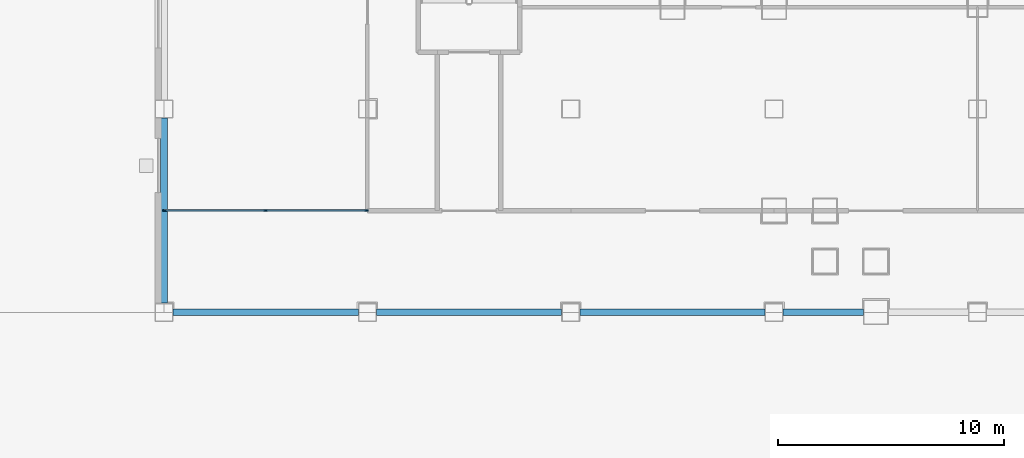
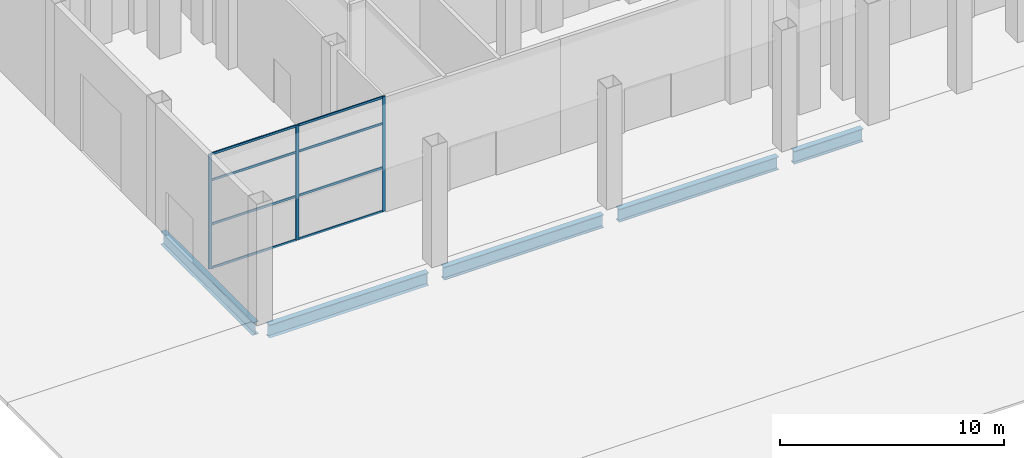
# One storey, part 4 of 38: 11 members, 5 beams, 1 element without a shape of its own.
"""IFC4 building model written with IfcOpenShell, lengths in metres."""

from ifc_helpers import new_model, si_unit, direction, frame, origin, origin_2d, place, context, subcontext, project, spatial, rectangle, i_section, extrude, material, layer, layer_set, material_profile, profile_set, type_object, element, aggregate, save


model = new_model("IFC4")

# Units and contexts
model_context = context("Model", 3, precision=1e-05, world=origin(), true_north=direction((0.0, 1.0)))
body_context = subcontext(model_context, "Body", "Model", "MODEL_VIEW")
ifc_project = project(units=[si_unit("LENGTHUNIT", "METRE"), si_unit("AREAUNIT", "SQUARE_METRE"), si_unit("VOLUMEUNIT", "CUBIC_METRE"), si_unit("PLANEANGLEUNIT", "RADIAN"), si_unit("MASSUNIT", "GRAM", prefix="KILO")], contexts=[model_context])

# Site, building, storey
site_placement = place(None, origin())
site = spatial("IfcSite", under=ifc_project, at=site_placement, CompositionType="ELEMENT")
building_placement = place(site_placement, origin())
building = spatial("IfcBuilding", under=site, at=building_placement, Name="Caravel Reach Hotel and Residences", CompositionType="ELEMENT")
storey_placement = place(building_placement, origin())
storey = spatial("IfcBuildingStorey", under=building, at=storey_placement, Name="L00", CompositionType="ELEMENT", Elevation=0.0)

# Curtain wall, members
ifc_material_1 = material(Name="Dark low-e glazing in black aluminium frame", Category="aluminium")
ifc_layer = layer(ifc_material_1, 0.199951171875)
ifc_layer_set = layer_set([ifc_layer], Name="CW5 Lobby glazed wall")
curtain_wall_type = type_object("IfcCurtainWallType", Name="CW5 Lobby glazed wall", PredefinedType="NOTDEFINED", material=ifc_layer_set)
curtain_wall_placement = place(storey_placement, origin())
curtain_wall = element("IfcCurtainWall", 1, at=curtain_wall_placement, inside=storey, type_object=curtain_wall_type, Name="Lobby glazed wall b0", PredefinedType="NOTDEFINED")
ifc_material_2 = material(Name="Anodised aluminium alloy 6063-T5, black", Category="aluminium")
ifc_material_profile_1 = material_profile(ifc_material_2, rectangle(XDim=0.06005859375, YDim=0.159912109375, at=origin_2d()), Name="CW mullion 60 x 160")
ifc_profile_set_1 = profile_set([ifc_material_profile_1], Name="Anodised aluminium alloy 6063-T5, black")
member_type_1 = type_object("IfcMemberType", Name="CW mullion 60 x 160", PredefinedType="MULLION", material=ifc_profile_set_1)
member_1_placement = place(storey_placement, frame((-4.469970703125, 4.5, 0.0), z_axis=(0.0, 0.0, 1.0), x_axis=(0.0, 1.0, 0.0)))
member_1 = element("IfcMember", 2, at=member_1_placement, type_object=member_type_1, Name="CW5 mullion 1", PredefinedType="MULLION", context=body_context, shape_type="SweptSolid", body=[
    extrude(rectangle(XDim=0.06005859375, YDim=0.159912109375, at=origin_2d()), origin(), (0.0, 0.0, 1.0), 6.25),
])
member_2_placement = place(storey_placement, frame((0.0, 4.5, 0.0), z_axis=(0.0, 0.0, 1.0), x_axis=(0.0, 1.0, 0.0)))
member_2 = element("IfcMember", 3, at=member_2_placement, type_object=member_type_1, Name="CW5 mullion 2", PredefinedType="MULLION", context=body_context, shape_type="SweptSolid", body=[
    extrude(rectangle(XDim=0.06005859375, YDim=0.159912109375, at=origin_2d()), origin(), (0.0, 0.0, 1.0), 6.25),
])
member_3_placement = place(storey_placement, frame((4.469970703125, 4.5, 0.0), z_axis=(0.0, 0.0, 1.0), x_axis=(0.0, 1.0, 0.0)))
member_3 = element("IfcMember", 4, at=member_3_placement, type_object=member_type_1, Name="CW5 mullion 3", PredefinedType="MULLION", context=body_context, shape_type="SweptSolid", body=[
    extrude(rectangle(XDim=0.06005859375, YDim=0.159912109375, at=origin_2d()), origin(), (0.0, 0.0, 1.0), 6.25),
])
ifc_material_3 = material(Name="Anodised aluminium alloy 6063-T5, black", Category="aluminium")
ifc_material_profile_2 = material_profile(ifc_material_3, rectangle(XDim=0.06005859375, YDim=0.1201171875, at=origin_2d()), Name="CW transom 60 x 120")
ifc_profile_set_2 = profile_set([ifc_material_profile_2], Name="Anodised aluminium alloy 6063-T5, black")
member_type_2 = type_object("IfcMemberType", Name="CW transom 60 x 120", PredefinedType="USERDEFINED", material=ifc_profile_set_2)
member_4_placement = place(storey_placement, frame((-4.43994140625, 4.5, 0.030029296875), z_axis=(1.0, 0.0, 0.0), x_axis=(0.0, 1.0, 0.0)))
member_4 = element("IfcMember", 5, at=member_4_placement, type_object=member_type_2, Name="CW5 transom 1.1", ObjectType="TRANSOM", PredefinedType="USERDEFINED", context=body_context, shape_type="SweptSolid", body=[
    extrude(rectangle(XDim=0.06005859375, YDim=0.1201171875, at=origin_2d()), origin(), (0.0, 0.0, 1.0), 4.409912109375),
])
member_5_placement = place(storey_placement, frame((-4.43994140625, 4.5, 2.39990234375), z_axis=(1.0, 0.0, 0.0), x_axis=(0.0, 1.0, 0.0)))
member_5 = element("IfcMember", 6, at=member_5_placement, type_object=member_type_2, Name="CW5 transom 1.2", ObjectType="TRANSOM", PredefinedType="USERDEFINED", context=body_context, shape_type="SweptSolid", body=[
    extrude(rectangle(XDim=0.06005859375, YDim=0.1201171875, at=origin_2d()), origin(), (0.0, 0.0, 1.0), 4.409912109375),
])
member_6_placement = place(storey_placement, frame((-4.43994140625, 4.5, 4.800048828125), z_axis=(1.0, 0.0, 0.0), x_axis=(0.0, 1.0, 0.0)))
member_6 = element("IfcMember", 7, at=member_6_placement, type_object=member_type_2, Name="CW5 transom 1.3", ObjectType="TRANSOM", PredefinedType="USERDEFINED", context=body_context, shape_type="SweptSolid", body=[
    extrude(rectangle(XDim=0.06005859375, YDim=0.1201171875, at=origin_2d()), origin(), (0.0, 0.0, 1.0), 4.409912109375),
])
member_7_placement = place(storey_placement, frame((-4.43994140625, 4.5, 6.219970703125), z_axis=(1.0, 0.0, 0.0), x_axis=(0.0, 1.0, 0.0)))
member_7 = element("IfcMember", 8, at=member_7_placement, type_object=member_type_2, Name="CW5 transom 1.4", ObjectType="TRANSOM", PredefinedType="USERDEFINED", context=body_context, shape_type="SweptSolid", body=[
    extrude(rectangle(XDim=0.06005859375, YDim=0.1201171875, at=origin_2d()), origin(), (0.0, 0.0, 1.0), 4.409912109375),
])
member_8_placement = place(storey_placement, frame((0.030029296875, 4.5, 0.030029296875), z_axis=(1.0, 0.0, 0.0), x_axis=(0.0, 1.0, 0.0)))
member_8 = element("IfcMember", 9, at=member_8_placement, type_object=member_type_2, Name="CW5 transom 2.1", ObjectType="TRANSOM", PredefinedType="USERDEFINED", context=body_context, shape_type="SweptSolid", body=[
    extrude(rectangle(XDim=0.06005859375, YDim=0.1201171875, at=origin_2d()), origin(), (0.0, 0.0, 1.0), 4.409912109375),
])
member_9_placement = place(storey_placement, frame((0.030029296875, 4.5, 2.39990234375), z_axis=(1.0, 0.0, 0.0), x_axis=(0.0, 1.0, 0.0)))
member_9 = element("IfcMember", 10, at=member_9_placement, type_object=member_type_2, Name="CW5 transom 2.2", ObjectType="TRANSOM", PredefinedType="USERDEFINED", context=body_context, shape_type="SweptSolid", body=[
    extrude(rectangle(XDim=0.06005859375, YDim=0.1201171875, at=origin_2d()), origin(), (0.0, 0.0, 1.0), 4.409912109375),
])
member_10_placement = place(storey_placement, frame((0.030029296875, 4.5, 4.800048828125), z_axis=(1.0, 0.0, 0.0), x_axis=(0.0, 1.0, 0.0)))
member_10 = element("IfcMember", 11, at=member_10_placement, type_object=member_type_2, Name="CW5 transom 2.3", ObjectType="TRANSOM", PredefinedType="USERDEFINED", context=body_context, shape_type="SweptSolid", body=[
    extrude(rectangle(XDim=0.06005859375, YDim=0.1201171875, at=origin_2d()), origin(), (0.0, 0.0, 1.0), 4.409912109375),
])
member_11_placement = place(storey_placement, frame((0.030029296875, 4.5, 6.219970703125), z_axis=(1.0, 0.0, 0.0), x_axis=(0.0, 1.0, 0.0)))
member_11 = element("IfcMember", 12, at=member_11_placement, type_object=member_type_2, Name="CW5 transom 2.4", ObjectType="TRANSOM", PredefinedType="USERDEFINED", context=body_context, shape_type="SweptSolid", body=[
    extrude(rectangle(XDim=0.06005859375, YDim=0.1201171875, at=origin_2d()), origin(), (0.0, 0.0, 1.0), 4.409912109375),
])
aggregate(curtain_wall, [member_1, member_2, member_3, member_4, member_5, member_6, member_7, member_8, member_9, member_10, member_11])

# Beams
ifc_material_4 = material(Name="Structural steel Q355B", Category="steel")
ifc_material_profile_3 = material_profile(ifc_material_4, i_section(OverallWidth=0.300048828125, OverallDepth=0.699951171875, WebThickness=0.012939453125, FlangeThickness=0.02392578125, FilletRadius=0.01806640625, at=origin_2d()), Name="HN 700x300x13x24")
ifc_profile_set_3 = profile_set([ifc_material_profile_3], Name="Structural steel Q355B")
beam_type = type_object("IfcBeamType", Name="Spandrel beam HN 700x300x13x24", PredefinedType="SPANDREL", material=ifc_profile_set_3)
for number, where, z_axis, x_axis, name in (
    (13, (-4.10009765625, 0.0, -0.75), (1.0, 0.0, 0.0), (0.0, 1.0, 0.0), "SP2 HN 700x300x13x24"),
    (14, (4.89990234375, 0.0, -0.75), (1.0, 0.0, 0.0), (0.0, 1.0, 0.0), "SP2 HN 700x300x13x24"),
    (15, (13.89990234375, 0.0, -0.75), (1.0, 0.0, 0.0), (0.0, 1.0, 0.0), "SP2 HN 700x300x13x24"),
):
    element("IfcBeam", number, at=place(storey_placement, frame(where, z_axis=z_axis, x_axis=x_axis)), inside=storey, type_object=beam_type, Name=name, PredefinedType="SPANDREL", context=body_context, shape_type="SweptSolid", body=[
        extrude(i_section(OverallWidth=0.300048828125, OverallDepth=0.699951171875, WebThickness=0.012939453125, FlangeThickness=0.02392578125, FilletRadius=0.01806640625, at=origin_2d()), origin(), (0.0, 0.0, 1.0), 8.2001953125),
    ])
beam_1_placement = place(storey_placement, frame((22.89990234375, 0.0, -0.75), z_axis=(1.0, 0.0, 0.0), x_axis=(0.0, 1.0, 0.0)))
element("IfcBeam", 16, at=beam_1_placement, inside=storey, type_object=beam_type, Name="SP2 HN 700x300x13x24", PredefinedType="SPANDREL", context=body_context, shape_type="SweptSolid", body=[
    extrude(i_section(OverallWidth=0.300048828125, OverallDepth=0.699951171875, WebThickness=0.012939453125, FlangeThickness=0.02392578125, FilletRadius=0.01806640625, at=origin_2d()), origin(), (0.0, 0.0, 1.0), 3.550048828125),
])
beam_2_placement = place(storey_placement, frame((-4.5, 8.60009765625, -0.75), z_axis=(0.0, -1.0, 0.0), x_axis=(1.0, 0.0, 0.0)))
element("IfcBeam", 17, at=beam_2_placement, inside=storey, type_object=beam_type, Name="SP2 HN 700x300x13x24", PredefinedType="SPANDREL", context=body_context, shape_type="SweptSolid", body=[
    extrude(i_section(OverallWidth=0.300048828125, OverallDepth=0.699951171875, WebThickness=0.012939453125, FlangeThickness=0.02392578125, FilletRadius=0.01806640625, at=origin_2d()), origin(), (0.0, 0.0, 1.0), 8.2001953125),
])

save(model, "model.ifc")
